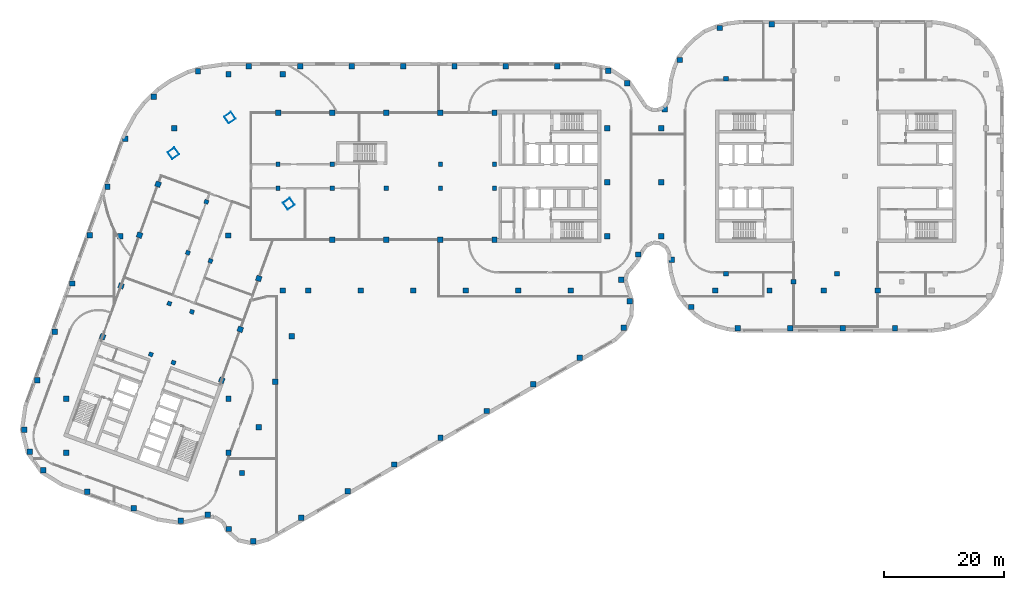
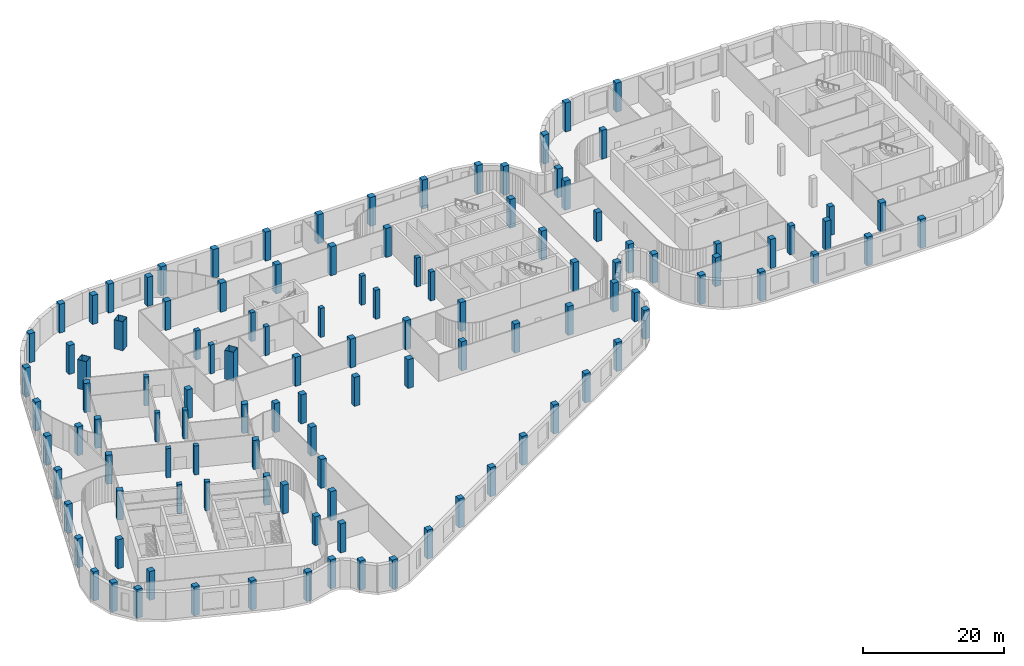
# One storey, part 1 of 18: 116 columns.
"""IFC4 building model written with IfcOpenShell, lengths in metres."""

from ifc_helpers import new_model, si_unit, direction, frame, origin, origin_2d, place, context, subcontext, project, spatial, rectangle, hollow_rectangle, extrude, material, material_profile, profile_set, type_object, element, save


model = new_model("IFC4")

# Units and contexts
model_context = context("Model", 3, precision=1e-05, world=origin(), true_north=direction((0.0, 1.0)))
body_context = subcontext(model_context, "Body", "Model", "MODEL_VIEW")
ifc_project = project(units=[si_unit("LENGTHUNIT", "METRE"), si_unit("AREAUNIT", "SQUARE_METRE"), si_unit("VOLUMEUNIT", "CUBIC_METRE"), si_unit("PLANEANGLEUNIT", "RADIAN"), si_unit("MASSUNIT", "GRAM", prefix="KILO")], contexts=[model_context])

# Site, building, storey
site_placement = place(None, origin())
site = spatial("IfcSite", under=ifc_project, at=site_placement, CompositionType="ELEMENT")
building_placement = place(site_placement, origin())
building = spatial("IfcBuilding", under=site, at=building_placement, Name="Skarvind Civic Tower", CompositionType="ELEMENT")
storey_placement = place(building_placement, frame((0.0, 0.0, 22.5)))
storey = spatial("IfcBuildingStorey", under=building, at=storey_placement, Name="L04", CompositionType="ELEMENT", Elevation=22.5)

# Columns
ifc_material_1 = material(Name="Concrete C60", Category="concrete")
ifc_material_profile_1 = material_profile(ifc_material_1, rectangle(XDim=0.699951171875, YDim=0.699951171875, at=origin_2d()), Name="RC-700x700")
ifc_profile_set_1 = profile_set([ifc_material_profile_1], Name="Concrete C60")
column_type_1 = type_object("IfcColumnType", Name="Column RC-700x700 C60", PredefinedType="COLUMN", material=ifc_profile_set_1)
for number, where, z_axis, x_axis, name in (
    (1, (54.25, 130.0, 0.0), (0.0, 0.0, 1.0), (1.0, 0.0, 0.0), "Column wing 1 north inner 02 L04"),
    (2, (63.25, 130.0, 0.0), (0.0, 0.0, 1.0), (1.0, 0.0, 0.0), "Column wing 1 north inner 03 L04"),
    (3, (81.25, 130.0, 0.0), (0.0, 0.0, 1.0), (1.0, 0.0, 0.0), "Column wing 1 north inner 05 L04"),
    (4, (90.25, 130.0, 0.0), (0.0, 0.0, 1.0), (1.0, 0.0, 0.0), "Column wing 1 north inner 06 L04"),
    (5, (54.25, 126.0, 0.0), (0.0, 0.0, 1.0), (1.0, 0.0, 0.0), "Column wing 1 south inner 02 L04"),
    (6, (63.25, 126.0, 0.0), (0.0, 0.0, 1.0), (1.0, 0.0, 0.0), "Column wing 1 south inner 03 L04"),
    (7, (72.25, 126.0, 0.0), (0.0, 0.0, 1.0), (1.0, 0.0, 0.0), "Column wing 1 south inner 04 L04"),
    (8, (81.25, 126.0, 0.0), (0.0, 0.0, 1.0), (1.0, 0.0, 0.0), "Column wing 1 south inner 05 L04"),
    (9, (90.25, 126.0, 0.0), (0.0, 0.0, 1.0), (1.0, 0.0, 0.0), "Column wing 1 south inner 06 L04"),
    (10, (43.005615234375, 113.92529296875, 0.0), (0.0, 0.0, 1.0), (-0.342020143326, -0.939692620786, 0.0), "Column wing 2 left inner 02 L04"),
    (11, (39.927490234375, 105.468017578125, 0.0), (0.0, 0.0, 1.0), (-0.342020143326, -0.939692620786, 0.0), "Column wing 2 left inner 03 L04"),
    (12, (36.84912109375, 97.010986328125, 0.0), (0.0, 0.0, 1.0), (-0.342020143326, -0.939692620786, 0.0), "Column wing 2 left inner 04 L04"),
    (13, (42.324951171875, 123.750732421875, 0.0), (0.0, 0.0, 1.0), (-0.342020143326, -0.939692620786, 0.0), "Column wing 2 right inner 01 L04"),
    (14, (39.246826171875, 115.29345703125, 0.0), (0.0, 0.0, 1.0), (-0.342020143326, -0.939692620786, 0.0), "Column wing 2 right inner 02 L04"),
    (15, (36.168701171875, 106.836181640625, 0.0), (0.0, 0.0, 1.0), (-0.342020143326, -0.939692620786, 0.0), "Column wing 2 right inner 03 L04"),
    (16, (33.090576171875, 98.37890625, 0.0), (0.0, 0.0, 1.0), (-0.342020143326, -0.939692620786, 0.0), "Column wing 2 right inner 04 L04"),
):
    element("IfcColumn", number, at=place(storey_placement, frame(where, z_axis=z_axis, x_axis=x_axis)), inside=storey, type_object=column_type_1, Name=name, PredefinedType="COLUMN", context=body_context, shape_type="SweptSolid", body=[
        extrude(rectangle(XDim=0.699951171875, YDim=0.699951171875, at=origin_2d()), origin(), (0.0, 0.0, 1.0), 5.0),
    ])
ifc_material_profile_2 = material_profile(ifc_material_1, rectangle(XDim=0.800048828125, YDim=0.800048828125, at=origin_2d()), Name="RC-800x800")
ifc_profile_set_2 = profile_set([ifc_material_profile_2], Name="Concrete C60")
column_type_2 = type_object("IfcColumnType", Name="Column RC-800x800 C60", PredefinedType="COLUMN", material=ifc_profile_set_2)
for number, where, z_axis, x_axis, name in (
    (17, (128.777099609375, 144.222900390625, 0.0), (0.0, 0.0, 1.0), (1.0, 0.0, 0.0), "Column second tower north-west corner L04"),
    (18, (128.777099609375, 111.777099609375, 0.0), (0.0, 0.0, 1.0), (1.0, 0.0, 0.0), "Column second tower south-west corner L04"),
    (19, (140.0, 110.449951171875, 0.0), (0.0, 0.0, 1.0), (1.0, 0.0, 0.0), "Column second tower south perimeter 02 L04"),
    (20, (147.222900390625, 111.777099609375, 0.0), (0.0, 0.0, 1.0), (1.0, 0.0, 0.0), "Column second tower south perimeter 03 L04"),
):
    element("IfcColumn", number, at=place(storey_placement, frame(where, z_axis=z_axis, x_axis=x_axis)), inside=storey, type_object=column_type_2, Name=name, PredefinedType="COLUMN", context=body_context, shape_type="SweptSolid", body=[
        extrude(rectangle(XDim=0.800048828125, YDim=0.800048828125, at=origin_2d()), origin(), (0.0, 0.0, 1.0), 5.0),
    ])
ifc_material_profile_3 = material_profile(ifc_material_1, rectangle(XDim=0.89990234375, YDim=0.89990234375, at=origin_2d()), Name="RC-900x900")
ifc_profile_set_3 = profile_set([ifc_material_profile_3], Name="Concrete C60")
column_type_3 = type_object("IfcColumnType", Name="Column RC-900x900 C60", PredefinedType="COLUMN", material=ifc_profile_set_3)
for number, where, z_axis, x_axis, name in (
    (21, (127.0, 109.0, 0.0), (0.0, 0.0, 1.0), (1.0, 0.0, 0.0), "Column podium grid 100 L04"),
    (22, (136.0, 109.0, 0.0), (0.0, 0.0, 1.0), (1.0, 0.0, 0.0), "Column podium grid 101 L04"),
    (23, (145.0, 109.0, 0.0), (0.0, 0.0, 1.0), (1.0, 0.0, 0.0), "Column podium grid 102 L04"),
    (24, (154.0, 109.0, 0.0), (0.0, 0.0, 1.0), (1.0, 0.0, 0.0), "Column podium grid 103 L04"),
    (25, (19.0, 82.0, 0.0), (0.0, 0.0, 1.0), (1.0, 0.0, 0.0), "Column podium grid 68 L04"),
    (26, (19.0, 91.0, 0.0), (0.0, 0.0, 1.0), (1.0, 0.0, 0.0), "Column podium grid 69 L04"),
    (27, (28.0, 118.0, 0.0), (0.0, 0.0, 1.0), (1.0, 0.0, 0.0), "Column podium grid 70 L04"),
    (28, (37.0, 136.0, 0.0), (0.0, 0.0, 1.0), (1.0, 0.0, 0.0), "Column podium grid 71 L04"),
    (29, (46.0, 82.0, 0.0), (0.0, 0.0, 1.0), (1.0, 0.0, 0.0), "Column podium grid 73 L04"),
    (30, (46.0, 91.0, 0.0), (0.0, 0.0, 1.0), (1.0, 0.0, 0.0), "Column podium grid 74 L04"),
    (31, (46.0, 145.0, 0.0), (0.0, 0.0, 1.0), (1.0, 0.0, 0.0), "Column podium grid 75 L04"),
    (32, (55.0, 109.0, 0.0), (0.0, 0.0, 1.0), (1.0, 0.0, 0.0), "Column podium grid 79 L04"),
    (33, (55.0, 145.0, 0.0), (0.0, 0.0, 1.0), (1.0, 0.0, 0.0), "Column podium grid 80 L04"),
    (34, (109.0, 118.0, 0.0), (0.0, 0.0, 1.0), (1.0, 0.0, 0.0), "Column podium grid 94 L04"),
    (35, (109.0, 127.0, 0.0), (0.0, 0.0, 1.0), (1.0, 0.0, 0.0), "Column podium grid 95 L04"),
    (36, (109.0, 136.0, 0.0), (0.0, 0.0, 1.0), (1.0, 0.0, 0.0), "Column podium grid 96 L04"),
    (37, (118.0, 118.0, 0.0), (0.0, 0.0, 1.0), (1.0, 0.0, 0.0), "Column podium grid 97 L04"),
    (38, (118.0, 127.0, 0.0), (0.0, 0.0, 1.0), (1.0, 0.0, 0.0), "Column podium grid 98 L04"),
    (39, (118.0, 136.0, 0.0), (0.0, 0.0, 1.0), (1.0, 0.0, 0.0), "Column podium grid 99 L04"),
    (40, (50.135498046875, 67.277099609375, 0.0), (0.0, 0.0, 1.0), (1.0, 0.0, 0.0), "Column podium edge 01 L04"),
    (41, (46.0517578125, 69.341796875, 0.0), (0.0, 0.0, 1.0), (1.0, 0.0, 0.0), "Column podium edge 02 L04"),
    (42, (42.575927734375, 71.690673828125, 0.0), (0.0, 0.0, 1.0), (1.0, 0.0, 0.0), "Column podium edge 03 L04"),
    (43, (38.081787109375, 70.70361328125, 0.0), (0.0, 0.0, 1.0), (1.0, 0.0, 0.0), "Column podium edge 04 L04"),
    (44, (30.215087890625, 72.767822265625, 0.0), (0.0, 0.0, 1.0), (1.0, 0.0, 0.0), "Column podium edge 05 L04"),
    (45, (22.53515625, 75.56298828125, 0.0), (0.0, 0.0, 1.0), (1.0, 0.0, 0.0), "Column podium edge 06 L04"),
    (46, (15.204833984375, 79.07763671875, 0.0), (0.0, 0.0, 1.0), (1.0, 0.0, 0.0), "Column podium edge 07 L04"),
    (47, (12.957763671875, 82.1640625, 0.0), (0.0, 0.0, 1.0), (1.0, 0.0, 0.0), "Column podium edge 08 L04"),
    (48, (12.037841796875, 85.869384765625, 0.0), (0.0, 0.0, 1.0), (1.0, 0.0, 0.0), "Column podium edge 09 L04"),
    (49, (14.1865234375, 94.0986328125, 0.0), (0.0, 0.0, 1.0), (1.0, 0.0, 0.0), "Column podium edge 10 L04"),
    (50, (17.11083984375, 102.133056640625, 0.0), (0.0, 0.0, 1.0), (1.0, 0.0, 0.0), "Column podium edge 11 L04"),
    (51, (20.03515625, 110.167724609375, 0.0), (0.0, 0.0, 1.0), (1.0, 0.0, 0.0), "Column podium edge 12 L04"),
    (52, (22.95947265625, 118.2021484375, 0.0), (0.0, 0.0, 1.0), (1.0, 0.0, 0.0), "Column podium edge 13 L04"),
    (53, (25.8837890625, 126.236572265625, 0.0), (0.0, 0.0, 1.0), (1.0, 0.0, 0.0), "Column podium edge 14 L04"),
    (54, (28.818603515625, 134.266845703125, 0.0), (0.0, 0.0, 1.0), (1.0, 0.0, 0.0), "Column podium edge 15 L04"),
    (55, (33.59375, 141.267822265625, 0.0), (0.0, 0.0, 1.0), (1.0, 0.0, 0.0), "Column podium edge 16 L04"),
    (56, (40.927001953125, 145.478515625, 0.0), (0.0, 0.0, 1.0), (1.0, 0.0, 0.0), "Column podium edge 17 L04"),
    (57, (49.399658203125, 146.300048828125, 0.0), (0.0, 0.0, 1.0), (1.0, 0.0, 0.0), "Column podium edge 18 L04"),
    (58, (57.949951171875, 146.300048828125, 0.0), (0.0, 0.0, 1.0), (1.0, 0.0, 0.0), "Column podium edge 19 L04"),
    (59, (66.5, 146.300048828125, 0.0), (0.0, 0.0, 1.0), (1.0, 0.0, 0.0), "Column podium edge 20 L04"),
    (60, (75.050048828125, 146.300048828125, 0.0), (0.0, 0.0, 1.0), (1.0, 0.0, 0.0), "Column podium edge 21 L04"),
    (61, (83.600341796875, 146.300048828125, 0.0), (0.0, 0.0, 1.0), (1.0, 0.0, 0.0), "Column podium edge 22 L04"),
    (62, (92.150390625, 146.300048828125, 0.0), (0.0, 0.0, 1.0), (1.0, 0.0, 0.0), "Column podium edge 23 L04"),
    (63, (100.700439453125, 146.300048828125, 0.0), (0.0, 0.0, 1.0), (1.0, 0.0, 0.0), "Column podium edge 24 L04"),
    (64, (109.179931640625, 145.566650390625, 0.0), (0.0, 0.0, 1.0), (1.0, 0.0, 0.0), "Column podium edge 25 L04"),
    (65, (112.329345703125, 143.49560546875, 0.0), (0.0, 0.0, 1.0), (1.0, 0.0, 0.0), "Column podium edge 26 L04"),
    (66, (118.597900390625, 139.153076171875, 0.0), (0.0, 0.0, 1.0), (1.0, 0.0, 0.0), "Column podium edge 27 L04"),
    (67, (121.09521484375, 147.3408203125, 0.0), (0.0, 0.0, 1.0), (1.0, 0.0, 0.0), "Column podium edge 28 L04"),
    (68, (127.706787109375, 152.675048828125, 0.0), (0.0, 0.0, 1.0), (1.0, 0.0, 0.0), "Column podium edge 29 L04"),
    (69, (136.371826171875, 153.300048828125, 0.0), (0.0, 0.0, 1.0), (1.0, 0.0, 0.0), "Column podium edge 30 L04"),
    (70, (156.875, 102.699951171875, 0.0), (0.0, 0.0, 1.0), (1.0, 0.0, 0.0), "Column podium edge 41 L04"),
    (71, (148.1455078125, 102.699951171875, 0.0), (0.0, 0.0, 1.0), (1.0, 0.0, 0.0), "Column podium edge 42 L04"),
    (72, (139.415771484375, 102.699951171875, 0.0), (0.0, 0.0, 1.0), (1.0, 0.0, 0.0), "Column podium edge 43 L04"),
    (73, (130.689453125, 102.749755859375, 0.0), (0.0, 0.0, 1.0), (1.0, 0.0, 0.0), "Column podium edge 44 L04"),
    (74, (122.94677734375, 106.265380859375, 0.0), (0.0, 0.0, 1.0), (1.0, 0.0, 0.0), "Column podium edge 45 L04"),
    (75, (119.70458984375, 114.13671875, 0.0), (0.0, 0.0, 1.0), (1.0, 0.0, 0.0), "Column podium edge 46 L04"),
    (76, (114.146240234375, 114.994384765625, 0.0), (0.0, 0.0, 1.0), (1.0, 0.0, 0.0), "Column podium edge 47 L04"),
    (77, (112.776611328125, 107.21484375, 0.0), (0.0, 0.0, 1.0), (1.0, 0.0, 0.0), "Column podium edge 48 L04"),
    (78, (111.77294921875, 102.8076171875, 0.0), (0.0, 0.0, 1.0), (1.0, 0.0, 0.0), "Column podium edge 49 L04"),
    (79, (104.4453125, 97.850830078125, 0.0), (0.0, 0.0, 1.0), (1.0, 0.0, 0.0), "Column podium edge 50 L04"),
    (80, (96.719970703125, 93.404541015625, 0.0), (0.0, 0.0, 1.0), (1.0, 0.0, 0.0), "Column podium edge 51 L04"),
    (81, (88.994384765625, 88.958251953125, 0.0), (0.0, 0.0, 1.0), (1.0, 0.0, 0.0), "Column podium edge 52 L04"),
    (82, (81.26904296875, 84.511962890625, 0.0), (0.0, 0.0, 1.0), (1.0, 0.0, 0.0), "Column podium edge 53 L04"),
    (83, (73.543701171875, 80.065673828125, 0.0), (0.0, 0.0, 1.0), (1.0, 0.0, 0.0), "Column podium edge 54 L04"),
    (84, (65.818359375, 75.619384765625, 0.0), (0.0, 0.0, 1.0), (1.0, 0.0, 0.0), "Column podium edge 55 L04"),
    (85, (58.093017578125, 71.173095703125, 0.0), (0.0, 0.0, 1.0), (1.0, 0.0, 0.0), "Column podium edge 56 L04"),
    (86, (48.256591796875, 78.647705078125, 0.0), (0.0, 0.0, 1.0), (1.0, 0.0, 0.0), "Column podium edge 57 L04"),
    (87, (51.0185546875, 86.23583984375, 0.0), (0.0, 0.0, 1.0), (1.0, 0.0, 0.0), "Column podium edge 58 L04"),
    (88, (53.7802734375, 93.823974609375, 0.0), (0.0, 0.0, 1.0), (1.0, 0.0, 0.0), "Column podium edge 59 L04"),
    (89, (56.5419921875, 101.411865234375, 0.0), (0.0, 0.0, 1.0), (1.0, 0.0, 0.0), "Column podium edge 60 L04"),
    (90, (59.303955078125, 109.0, 0.0), (0.0, 0.0, 1.0), (1.0, 0.0, 0.0), "Column podium edge 61 L04"),
    (91, (68.033203125, 109.0, 0.0), (0.0, 0.0, 1.0), (1.0, 0.0, 0.0), "Column podium edge 62 L04"),
    (92, (76.762451171875, 109.0, 0.0), (0.0, 0.0, 1.0), (1.0, 0.0, 0.0), "Column podium edge 63 L04"),
    (93, (85.491455078125, 109.0, 0.0), (0.0, 0.0, 1.0), (1.0, 0.0, 0.0), "Column podium edge 64 L04"),
    (94, (94.220703125, 109.0, 0.0), (0.0, 0.0, 1.0), (1.0, 0.0, 0.0), "Column podium edge 65 L04"),
    (95, (102.949951171875, 109.0, 0.0), (0.0, 0.0, 1.0), (1.0, 0.0, 0.0), "Column podium edge 66 L04"),
    (96, (111.3330078125, 110.789794921875, 0.0), (0.0, 0.0, 1.0), (1.0, 0.0, 0.0), "Column podium edge 67 L04"),
):
    element("IfcColumn", number, at=place(storey_placement, frame(where, z_axis=z_axis, x_axis=x_axis)), inside=storey, type_object=column_type_3, Name=name, PredefinedType="COLUMN", context=body_context, shape_type="SweptSolid", body=[
        extrude(rectangle(XDim=0.89990234375, YDim=0.89990234375, at=origin_2d()), origin(), (0.0, 0.0, 1.0), 5.0),
    ])
ifc_material_2 = material(Name="Concrete C80", Category="concrete")
ifc_material_profile_4 = material_profile(ifc_material_2, rectangle(XDim=0.89990234375, YDim=0.89990234375, at=origin_2d()), Name="RC-900x900")
ifc_profile_set_4 = profile_set([ifc_material_profile_4], Name="Concrete C80")
column_type_4 = type_object("IfcColumnType", Name="Column RC-900x900 C80", PredefinedType="COLUMN", material=ifc_profile_set_4)
for number, where, z_axis, x_axis, name in (
    (97, (54.25, 138.550048828125, 0.0), (0.0, 0.0, 1.0), (1.0, 0.0, 0.0), "Column wing 1 north perimeter 02 L04"),
    (98, (63.25, 138.550048828125, 0.0), (0.0, 0.0, 1.0), (1.0, 0.0, 0.0), "Column wing 1 north perimeter 03 L04"),
    (99, (72.25, 138.550048828125, 0.0), (0.0, 0.0, 1.0), (1.0, 0.0, 0.0), "Column wing 1 north perimeter 04 L04"),
    (100, (81.25, 138.550048828125, 0.0), (0.0, 0.0, 1.0), (1.0, 0.0, 0.0), "Column wing 1 north perimeter 05 L04"),
    (101, (90.25, 138.550048828125, 0.0), (0.0, 0.0, 1.0), (1.0, 0.0, 0.0), "Column wing 1 north perimeter 06 L04"),
    (102, (45.95166015625, 118.151611328125, 0.0), (0.0, 0.0, 1.0), (1.0, 0.0, 0.0), "Column wing 1 south perimeter 01 L04"),
    (103, (63.25, 117.449951171875, 0.0), (0.0, 0.0, 1.0), (1.0, 0.0, 0.0), "Column wing 1 south perimeter 03 L04"),
    (104, (72.25, 117.449951171875, 0.0), (0.0, 0.0, 1.0), (1.0, 0.0, 0.0), "Column wing 1 south perimeter 04 L04"),
    (105, (81.25, 117.449951171875, 0.0), (0.0, 0.0, 1.0), (1.0, 0.0, 0.0), "Column wing 1 south perimeter 05 L04"),
    (106, (90.25, 117.449951171875, 0.0), (0.0, 0.0, 1.0), (1.0, 0.0, 0.0), "Column wing 1 south perimeter 06 L04"),
    (107, (51.0400390625, 111.0009765625, 0.0), (0.0, 0.0, 1.0), (-0.342020143326, -0.939692620786, 0.0), "Column wing 2 left perimeter 02 L04"),
    (108, (47.961669921875, 102.5439453125, 0.0), (0.0, 0.0, 1.0), (-0.342020143326, -0.939692620786, 0.0), "Column wing 2 left perimeter 03 L04"),
    (109, (44.883544921875, 94.086669921875, 0.0), (0.0, 0.0, 1.0), (-0.342020143326, -0.939692620786, 0.0), "Column wing 2 left perimeter 04 L04"),
    (110, (34.29052734375, 126.6748046875, 0.0), (0.0, 0.0, 1.0), (-0.342020143326, -0.939692620786, 0.0), "Column wing 2 right perimeter 01 L04"),
    (111, (31.21240234375, 118.2177734375, 0.0), (0.0, 0.0, 1.0), (-0.342020143326, -0.939692620786, 0.0), "Column wing 2 right perimeter 02 L04"),
    (112, (28.13427734375, 109.760498046875, 0.0), (0.0, 0.0, 1.0), (-0.342020143326, -0.939692620786, 0.0), "Column wing 2 right perimeter 03 L04"),
    (113, (25.05615234375, 101.30322265625, 0.0), (0.0, 0.0, 1.0), (-0.342020143326, -0.939692620786, 0.0), "Column wing 2 right perimeter 04 L04"),
):
    element("IfcColumn", number, at=place(storey_placement, frame(where, z_axis=z_axis, x_axis=x_axis)), inside=storey, type_object=column_type_4, Name=name, PredefinedType="COLUMN", context=body_context, shape_type="SweptSolid", body=[
        extrude(rectangle(XDim=0.89990234375, YDim=0.89990234375, at=origin_2d()), origin(), (0.0, 0.0, 1.0), 5.0),
    ])
ifc_material_3 = material(Name="Composite concrete-filled steel tube, Steel SM355 with Concrete C80", Category="concrete")
ifc_material_profile_5 = material_profile(ifc_material_3, hollow_rectangle(XDim=1.39990234375, YDim=1.39990234375, WallThickness=0.0400390625, at=origin_2d()), Name="BOX-1400x1400x40")
ifc_profile_set_5 = profile_set([ifc_material_profile_5], Name="Composite concrete-filled steel tube, Steel SM355 with Concrete C80")
column_type_5 = type_object("IfcColumnType", Name="Mega column BOX-1400x1400x40 filled C80", PredefinedType="COLUMN", material=ifc_profile_set_5)
for number, where, z_axis, x_axis, name in (
    (114, (36.845947265625, 131.837646484375, 0.0), (0.0, 0.0, 1.0), (0.573576436351, -0.819152044289, 0.0), "Mega column 1 L04"),
    (115, (46.2470703125, 137.762451171875, 0.0), (0.0, 0.0, 1.0), (0.573576436351, -0.819152044289, 0.0), "Mega column 2 L04"),
    (116, (56.0361328125, 123.43017578125, 0.0), (0.0, 0.0, 1.0), (0.573576436351, -0.819152044289, 0.0), "Mega column 4 L04"),
):
    element("IfcColumn", number, at=place(storey_placement, frame(where, z_axis=z_axis, x_axis=x_axis)), inside=storey, type_object=column_type_5, Name=name, PredefinedType="COLUMN", context=body_context, shape_type="SweptSolid", body=[
        extrude(hollow_rectangle(XDim=1.39990234375, YDim=1.39990234375, WallThickness=0.0400390625, at=origin_2d()), origin(), (0.0, 0.0, 1.0), 5.0),
    ])

save(model, "model.ifc")
